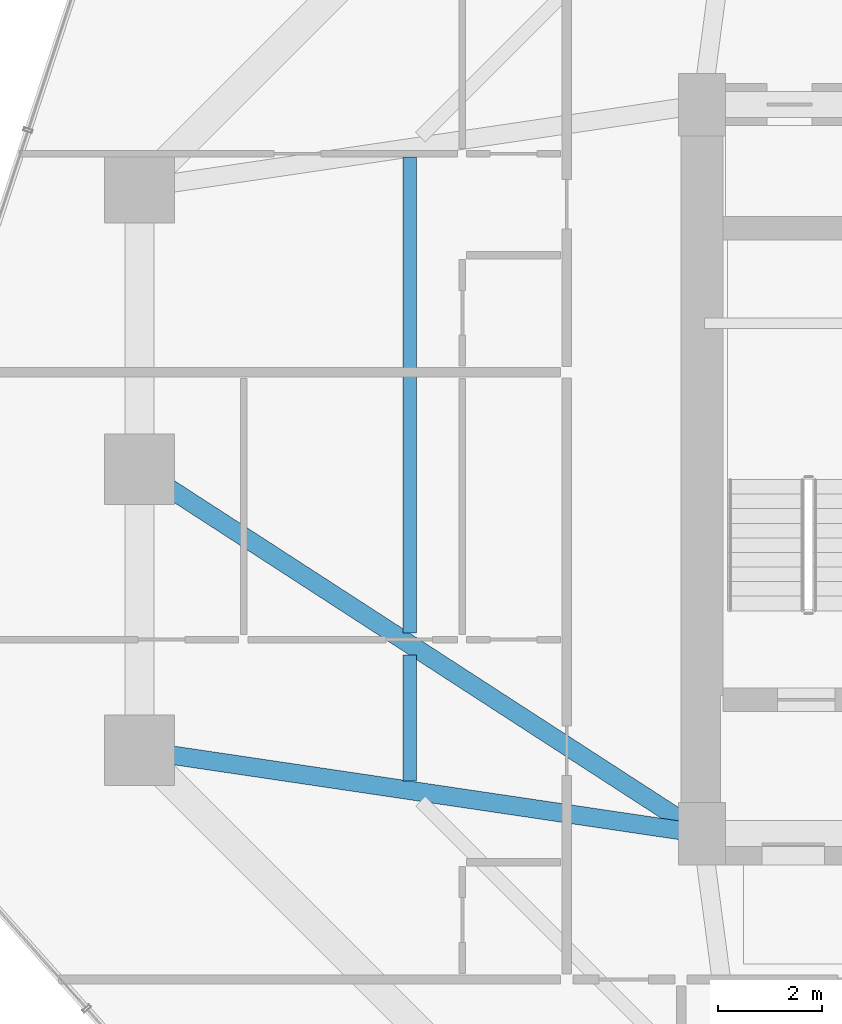
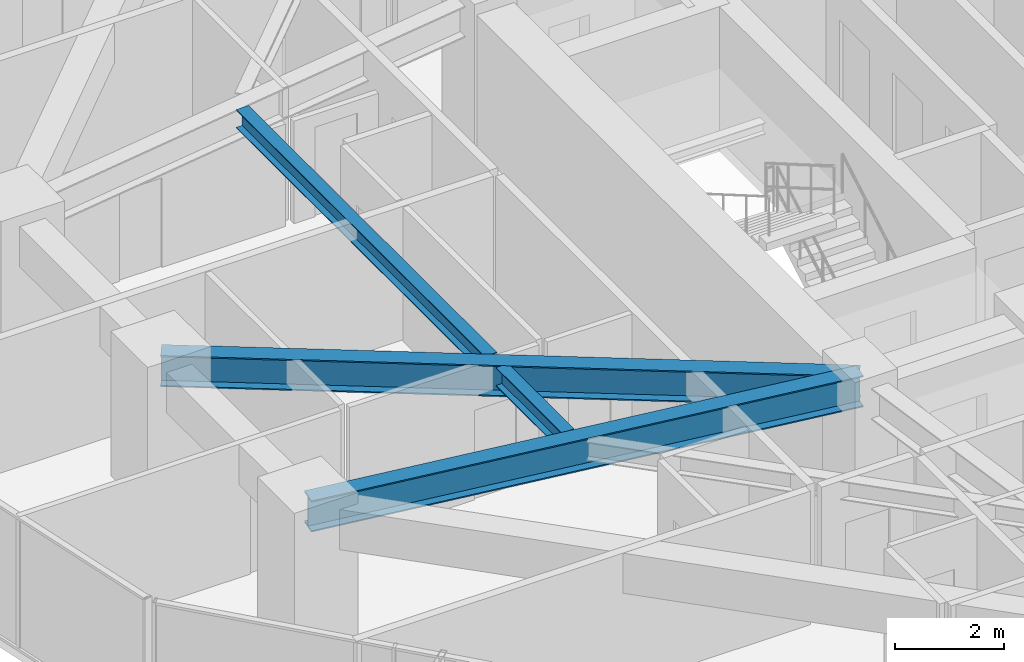
# One storey, part 11 of 38: 4 beams.
"""IFC4 building model written with IfcOpenShell, lengths in metres."""

from ifc_helpers import new_model, si_unit, direction, frame, origin, origin_2d, place, context, subcontext, project, spatial, i_section, extrude, material, material_profile, profile_set, type_object, element, save


model = new_model("IFC4")

# Units and contexts
model_context = context("Model", 3, precision=1e-05, world=origin(), true_north=direction((0.0, 1.0)))
body_context = subcontext(model_context, "Body", "Model", "MODEL_VIEW")
ifc_project = project(units=[si_unit("LENGTHUNIT", "METRE"), si_unit("AREAUNIT", "SQUARE_METRE"), si_unit("VOLUMEUNIT", "CUBIC_METRE"), si_unit("PLANEANGLEUNIT", "RADIAN"), si_unit("MASSUNIT", "GRAM", prefix="KILO")], contexts=[model_context])

# Site, building, storey
site_placement = place(None, origin())
site = spatial("IfcSite", under=ifc_project, at=site_placement, CompositionType="ELEMENT")
building_placement = place(site_placement, origin())
building = spatial("IfcBuilding", under=site, at=building_placement, Name="Veraguas Prism Commons", CompositionType="ELEMENT")
storey_placement = place(building_placement, frame((0.0, 0.0, 64.10009765625)))
storey = spatial("IfcBuildingStorey", under=building, at=storey_placement, Name="L17", CompositionType="ELEMENT", Elevation=64.10009765625)

# Beams
ifc_material = material(Name="Steel ASTM A992 Grade 50", Category="steel")
ifc_material_profile_1 = material_profile(ifc_material, i_section(OverallWidth=0.260986328125, OverallDepth=0.419921875, WebThickness=0.01171875, FlangeThickness=0.019287109375, at=origin_2d()), Name="W410X114")
ifc_profile_set_1 = profile_set([ifc_material_profile_1], Name="Steel ASTM A992 Grade 50")
beam_type_1 = type_object("IfcBeamType", Name="Lower Floor Joist W410x114", PredefinedType="JOIST", material=ifc_profile_set_1)
beam_1_placement = place(storey_placement, frame((11.583984375, 29.989990234375, 2.789794921875), z_axis=(0.0, -1.0, 0.0), x_axis=(1.0, 0.0, 0.0)))
element("IfcBeam", 1, at=beam_1_placement, inside=storey, type_object=beam_type_1, Name="Composite Floor Joist L17-JS07", PredefinedType="JOIST", context=body_context, shape_type="SweptSolid", body=[
    extrude(i_section(OverallWidth=0.260986328125, OverallDepth=0.419921875, WebThickness=0.01171875, FlangeThickness=0.019287109375, at=origin_2d()), origin(), (0.0, 0.0, 1.0), 9.140380859375),
])
beam_2_placement = place(storey_placement, frame((11.583984375, 20.430419921875, 2.789794921875), z_axis=(0.0, -1.0, 0.0), x_axis=(1.0, 0.0, 0.0)))
element("IfcBeam", 2, at=beam_2_placement, inside=storey, type_object=beam_type_1, Name="Composite Floor Joist L17-JS08", PredefinedType="JOIST", context=body_context, shape_type="SweptSolid", body=[
    extrude(i_section(OverallWidth=0.260986328125, OverallDepth=0.419921875, WebThickness=0.01171875, FlangeThickness=0.019287109375, at=origin_2d()), origin(), (0.0, 0.0, 1.0), 2.42041015625),
])
ifc_material_profile_2 = material_profile(ifc_material, i_section(OverallWidth=0.35595703125, OverallDepth=0.700927734375, WebThickness=0.016845703125, FlangeThickness=0.02734375, at=origin_2d()), Name="W690X240")
ifc_profile_set_2 = profile_set([ifc_material_profile_2], Name="Steel ASTM A992 Grade 50")
beam_type_2 = type_object("IfcBeamType", Name="Zone 1 Radial Girder W690x240", PredefinedType="BEAM", material=ifc_profile_set_2)
beam_3_placement = place(storey_placement, frame((6.39990234375, 24.0, 2.6494140625), z_axis=(0.839154108875, -0.543893722668, 0.0), x_axis=(0.543893722668, 0.839154108875, 0.0)))
element("IfcBeam", 3, at=beam_3_placement, inside=storey, type_object=beam_type_2, Name="Radial Floor Girder L17-RD08", PredefinedType="BEAM", context=body_context, shape_type="SweptSolid", body=[
    extrude(i_section(OverallWidth=0.35595703125, OverallDepth=0.700927734375, WebThickness=0.016845703125, FlangeThickness=0.02734375, at=origin_2d()), origin(), (0.0, 0.0, 1.0), 12.8701171875),
])
beam_4_placement = place(storey_placement, frame((6.39990234375, 18.60009765625, 2.6494140625), z_axis=(0.989202261707, -0.146556765224, 0.0), x_axis=(0.146556765224, 0.989202261707, 0.0)))
element("IfcBeam", 4, at=beam_4_placement, inside=storey, type_object=beam_type_2, Name="Radial Floor Girder L17-RD09", PredefinedType="BEAM", context=body_context, shape_type="SweptSolid", body=[
    extrude(i_section(OverallWidth=0.35595703125, OverallDepth=0.700927734375, WebThickness=0.016845703125, FlangeThickness=0.02734375, at=origin_2d()), origin(), (0.0, 0.0, 1.0), 10.91796875),
])

save(model, "model.ifc")
